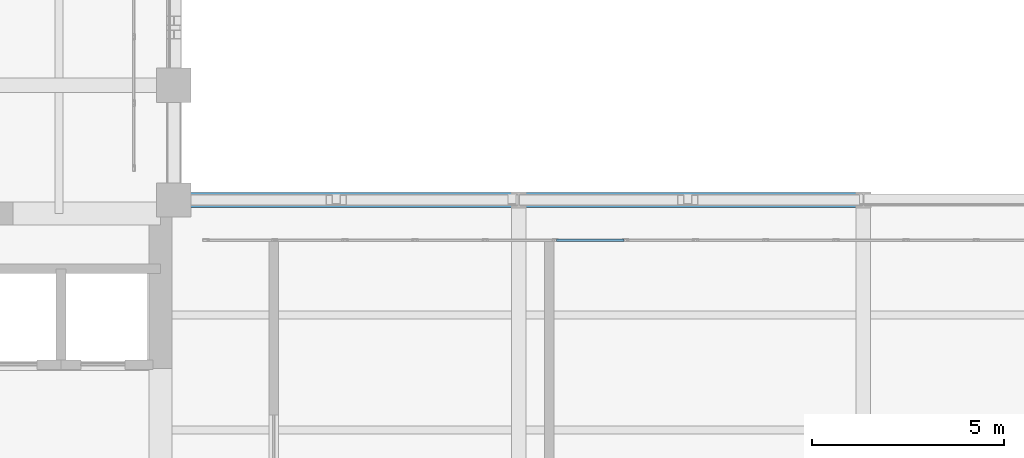
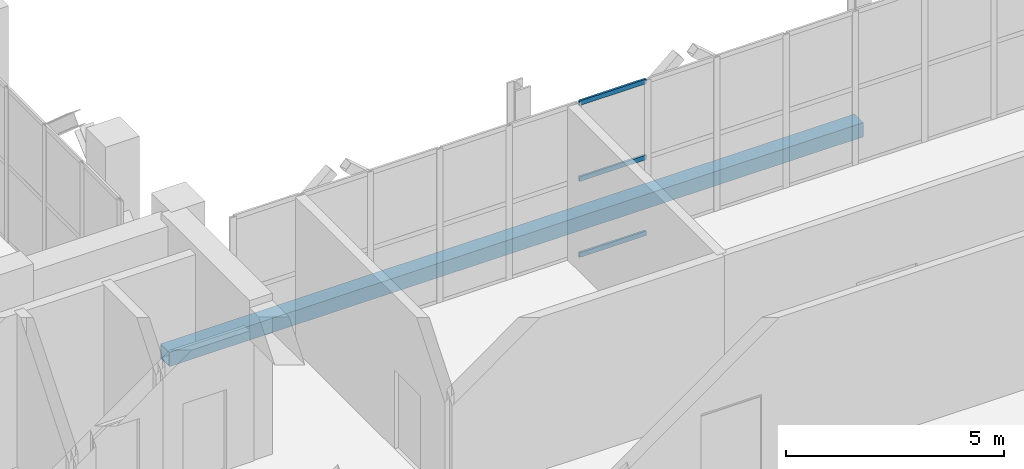
# One storey, part 7 of 26: 4 members, 1 element without a shape of its own.
"""IFC4 building model written with IfcOpenShell, lengths in metres."""

from ifc_helpers import new_model, si_unit, direction, frame, origin, origin_2d, place, context, subcontext, project, spatial, hollow_rectangle, extrude, material, layer, layer_set, material_profile, profile_set, type_object, element, aggregate, save


model = new_model("IFC4")

# Units and contexts
model_context = context("Model", 3, precision=1e-05, world=origin(), true_north=direction((0.0, 1.0)))
body_context = subcontext(model_context, "Body", "Model", "MODEL_VIEW")
ifc_project = project(units=[si_unit("LENGTHUNIT", "METRE"), si_unit("AREAUNIT", "SQUARE_METRE"), si_unit("VOLUMEUNIT", "CUBIC_METRE"), si_unit("PLANEANGLEUNIT", "RADIAN"), si_unit("MASSUNIT", "GRAM", prefix="KILO")], contexts=[model_context])

# Site, building, storey
site_placement = place(None, origin())
site = spatial("IfcSite", under=ifc_project, at=site_placement, CompositionType="ELEMENT")
building_placement = place(site_placement, origin())
building = spatial("IfcBuilding", under=site, at=building_placement, Name="Mawjdan Bourse Tower", CompositionType="ELEMENT")
storey_placement = place(building_placement, frame((0.0, 0.0, 226.800048828125)))
storey = spatial("IfcBuildingStorey", under=building, at=storey_placement, Name="L55", CompositionType="ELEMENT", Elevation=226.800048828125)

# Member
ifc_material_1 = material(Name="Structural Steel S460", Category="steel")
ifc_material_profile_1 = material_profile(ifc_material_1, hollow_rectangle(XDim=0.39990234375, YDim=0.39990234375, WallThickness=0.01611328125, at=origin_2d()), Name="HSS400X400X16")
ifc_profile_set_1 = profile_set([ifc_material_profile_1], Name="Structural Steel S460")
member_type_1 = type_object("IfcMemberType", Name="CHD-HSS400X400X16", PredefinedType="CHORD", material=ifc_profile_set_1)
member_1_placement = place(storey_placement, frame((23.64990234375, 21.0, 0.199951171875), z_axis=(1.0, 0.0, 0.0), x_axis=(0.0, 1.0, 0.0)))
element("IfcMember", 1, at=member_1_placement, inside=storey, type_object=member_type_1, Name="L55 East Outrigger Truss 2 Bottom Chord", PredefinedType="CHORD", context=body_context, shape_type="SweptSolid", body=[
    extrude(hollow_rectangle(XDim=0.39990234375, YDim=0.39990234375, WallThickness=0.01611328125, at=origin_2d()), origin(), (0.0, 0.0, 1.0), 18.35009765625),
])

# Curtain wall, members
ifc_material_2 = material(Name="Thermally Broken Aluminium and Solar Glass", Category="aluminium")
ifc_layer = layer(ifc_material_2, 0.219970703125)
ifc_layer_set = layer_set([ifc_layer], Name="Thermally Broken Aluminium and Solar Glass")
curtain_wall_type = type_object("IfcCurtainWallType", Name="CW-RFG", PredefinedType="USERDEFINED", material=ifc_layer_set)
curtain_wall_placement = place(storey_placement, origin())
curtain_wall = element("IfcCurtainWall", 2, at=curtain_wall_placement, inside=storey, type_object=curtain_wall_type, Name="L55 Refuge Band North Louvre Curtain Wall", ObjectType="REFUGE BAND LOUVRE SCREEN", PredefinedType="USERDEFINED")
ifc_material_3 = material(Name="Thermally Broken Anodised Aluminium", Category="aluminium")
ifc_material_profile_2 = material_profile(ifc_material_3, hollow_rectangle(XDim=0.054931640625, YDim=0.1298828125, WallThickness=0.00341796875, at=origin_2d()), Name="ALU-TRN-130X55")
ifc_profile_set_2 = profile_set([ifc_material_profile_2], Name="Thermally Broken Anodised Aluminium")
member_type_2 = type_object("IfcMemberType", Name="TRN-ALU-TRN-130X55", PredefinedType="USERDEFINED", material=ifc_profile_set_2)
member_2_placement = place(storey_placement, frame((35.7548828125, 19.949951171875, 0.02734375), z_axis=(-1.0, 0.0, 0.0), x_axis=(0.0, -1.0, 0.0)))
member_2 = element("IfcMember", 3, at=member_2_placement, type_object=member_type_2, Name="CW-RFG-L55-RFG-N transom 11.1", ObjectType="TRANSOM", PredefinedType="USERDEFINED", context=body_context, shape_type="SweptSolid", body=[
    extrude(hollow_rectangle(XDim=0.054931640625, YDim=0.1298828125, WallThickness=0.00341796875, at=origin_2d()), origin(), (0.0, 0.0, 1.0), 1.76611328125),
])
member_3_placement = place(storey_placement, frame((35.7548828125, 19.949951171875, 2.14990234375), z_axis=(-1.0, 0.0, 0.0), x_axis=(0.0, -1.0, 0.0)))
member_3 = element("IfcMember", 4, at=member_3_placement, type_object=member_type_2, Name="CW-RFG-L55-RFG-N transom 11.2", ObjectType="TRANSOM", PredefinedType="USERDEFINED", context=body_context, shape_type="SweptSolid", body=[
    extrude(hollow_rectangle(XDim=0.054931640625, YDim=0.1298828125, WallThickness=0.00341796875, at=origin_2d()), origin(), (0.0, 0.0, 1.0), 1.76611328125),
])
member_4_placement = place(storey_placement, frame((35.7548828125, 19.949951171875, 4.2724609375), z_axis=(-1.0, 0.0, 0.0), x_axis=(0.0, -1.0, 0.0)))
member_4 = element("IfcMember", 5, at=member_4_placement, type_object=member_type_2, Name="CW-RFG-L55-RFG-N transom 11.3", ObjectType="TRANSOM", PredefinedType="USERDEFINED", context=body_context, shape_type="SweptSolid", body=[
    extrude(hollow_rectangle(XDim=0.054931640625, YDim=0.1298828125, WallThickness=0.00341796875, at=origin_2d()), origin(), (0.0, 0.0, 1.0), 1.76611328125),
])
aggregate(curtain_wall, [member_2, member_3, member_4])

save(model, "model.ifc")
